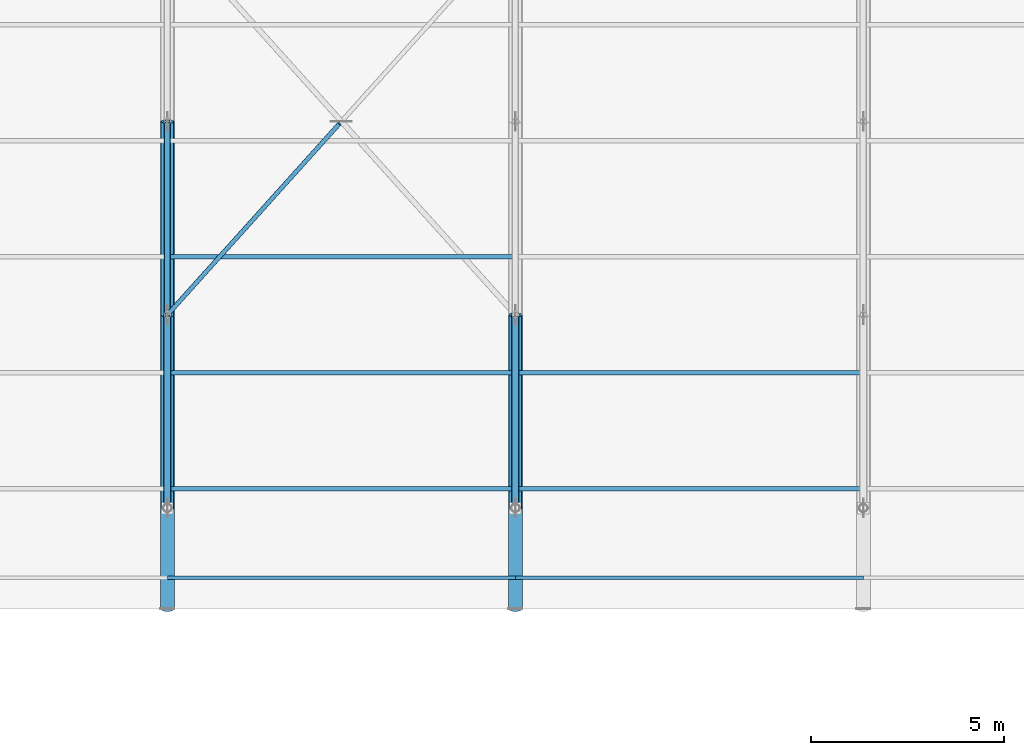
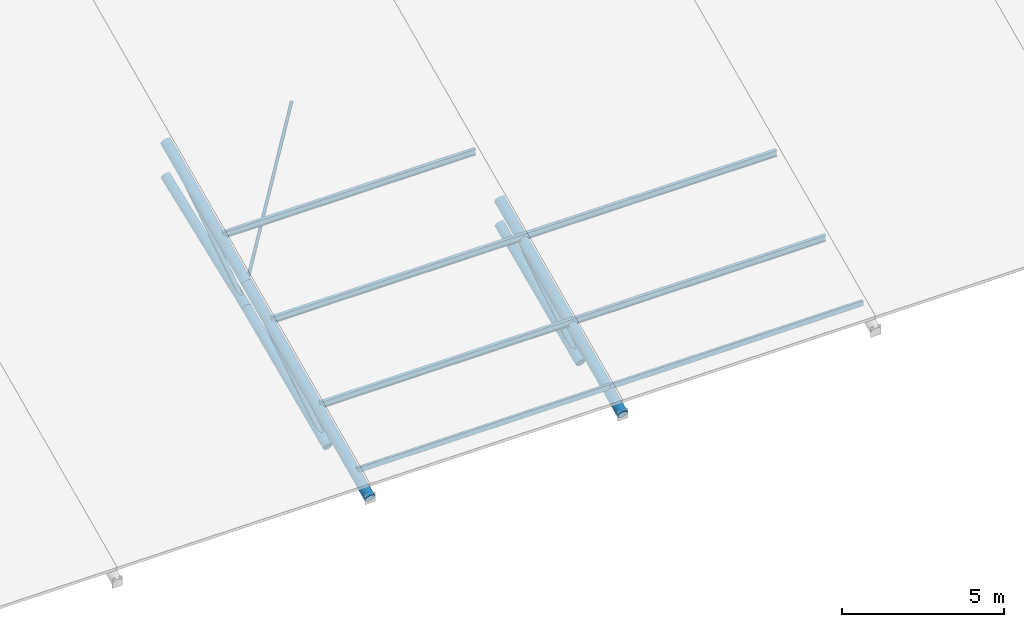
# One storey, part 13 of 107: 17 members.
"""IFC4 building model written with IfcOpenShell, lengths in metres."""

from ifc_helpers import new_model, si_unit, derived_unit, direction, frame, origin, origin_2d, place, context, subcontext, project, spatial, hollow_rectangle, hollow_circle, i_section, extrude, material, material_profile, profile_set, type_object, element, save


model = new_model("IFC4")

# Units and contexts
model_context = context("Model", 3, precision=1e-05, world=origin(), true_north=direction((0.0, 1.0)))
body_context = subcontext(model_context, "Body", "Model", "MODEL_VIEW")
ifc_project = project(units=[si_unit("LENGTHUNIT", "METRE"), si_unit("AREAUNIT", "SQUARE_METRE"), si_unit("VOLUMEUNIT", "CUBIC_METRE"), si_unit("PLANEANGLEUNIT", "RADIAN"), si_unit("MASSUNIT", "GRAM", prefix="KILO"), si_unit("THERMODYNAMICTEMPERATUREUNIT", "KELVIN"), si_unit("TIMEUNIT", "SECOND"), derived_unit("THERMALTRANSMITTANCEUNIT", [(si_unit("MASSUNIT", "GRAM", prefix="KILO"), 1), (si_unit("THERMODYNAMICTEMPERATUREUNIT", "KELVIN"), -1), (si_unit("TIMEUNIT", "SECOND"), -3)])], contexts=[model_context])

# Site, building, storey
site_placement = place(None, origin())
site = spatial("IfcSite", under=ifc_project, at=site_placement, CompositionType="ELEMENT")
building_placement = place(site_placement, origin())
building = spatial("IfcBuilding", under=site, at=building_placement, Name="Cambertide Market Hall", CompositionType="ELEMENT")
storey_placement = place(building_placement, frame((0.0, 0.0, 18.300048828125)))
storey = spatial("IfcBuildingStorey", under=building, at=storey_placement, Name="RF", CompositionType="ELEMENT", Elevation=18.300048828125)

# Members
ifc_material_1 = material(Name="Steel S355", Category="steel")
ifc_material_profile_1 = material_profile(ifc_material_1, hollow_circle(Radius=0.161865234375, WallThickness=0.010009765625, at=origin_2d()), Name="CHS 323.9x10")
ifc_profile_set_1 = profile_set([ifc_material_profile_1], Name="Steel S355")
member_type_1 = type_object("IfcMemberType", Name="Arched Truss Chord CHS 323.9x10", PredefinedType="CHORD", material=ifc_profile_set_1)
member_1_placement = place(storey_placement, frame((69.0, 52.0, -10.380126953125), z_axis=(0.0, 0.915087583381, 0.403255148438), x_axis=(-1.0, 0.0, 0.0)))
element("IfcMember", 1, at=member_1_placement, inside=storey, type_object=member_type_1, Name="Roof Truss 4 Arched Bottom Chord 1", PredefinedType="CHORD", context=body_context, shape_type="SweptSolid", body=[
    extrude(hollow_circle(Radius=0.161865234375, WallThickness=0.010009765625, at=origin_2d()), origin(), (0.0, 0.0, 1.0), 5.4638671875),
])
member_2_placement = place(storey_placement, frame((69.0, 57.0, -8.1767578125), z_axis=(0.0, 0.933191676524, 0.359379040661), x_axis=(-1.0, 0.0, 0.0)))
element("IfcMember", 2, at=member_2_placement, inside=storey, type_object=member_type_1, Name="Roof Truss 4 Arched Bottom Chord 2", PredefinedType="CHORD", context=body_context, shape_type="SweptSolid", body=[
    extrude(hollow_circle(Radius=0.161865234375, WallThickness=0.010009765625, at=origin_2d()), origin(), (0.0, 0.0, 1.0), 5.35791015625),
])
member_3_placement = place(storey_placement, frame((78.0, 52.0, -10.380126953125), z_axis=(0.0, 0.915087583381, 0.403255148438), x_axis=(-1.0, 0.0, 0.0)))
element("IfcMember", 3, at=member_3_placement, inside=storey, type_object=member_type_1, Name="Roof Truss 5 Arched Bottom Chord 1", PredefinedType="CHORD", context=body_context, shape_type="SweptSolid", body=[
    extrude(hollow_circle(Radius=0.161865234375, WallThickness=0.010009765625, at=origin_2d()), origin(), (0.0, 0.0, 1.0), 5.4638671875),
])
ifc_material_2 = material(Name="Steel S355", Category="steel")
ifc_material_profile_2 = material_profile(ifc_material_2, hollow_circle(Radius=0.177734375, WallThickness=0.012451171875, at=origin_2d()), Name="CHS 355.6x12.5")
ifc_profile_set_2 = profile_set([ifc_material_profile_2], Name="Steel S355")
member_type_2 = type_object("IfcMemberType", Name="Arched Truss Chord CHS 355.6x12.5", PredefinedType="CHORD", material=ifc_profile_set_2)
member_4_placement = place(storey_placement, frame((69.0, 57.0, -7.25), z_axis=(0.0, 0.908487084298, 0.417912930721), x_axis=(-1.0, 0.0, 0.0)))
element("IfcMember", 4, at=member_4_placement, inside=storey, type_object=member_type_2, Name="Roof Truss 4 Top Chord 2", PredefinedType="CHORD", context=body_context, shape_type="SweptSolid", body=[
    extrude(hollow_circle(Radius=0.177734375, WallThickness=0.012451171875, at=origin_2d()), origin(), (0.0, 0.0, 1.0), 5.503662109375),
])
ifc_material_3 = material(Name="Steel S355", Category="steel")
ifc_material_profile_3 = material_profile(ifc_material_3, hollow_circle(Radius=0.177734375, WallThickness=0.012451171875, at=origin_2d()), Name="CHS 355.6x12.5")
ifc_profile_set_3 = profile_set([ifc_material_profile_3], Name="Steel S355")
member_type_3 = type_object("IfcMemberType", Name="Exterior Arched Truss Chord CHS 355.6x12.5", PredefinedType="CHORD", material=ifc_profile_set_3)
for number, where, z_axis, x_axis, name in (
    (5, (69.0, 49.39990234375, -10.74609375), (0.0, 0.908488236671, 0.417910425606), (-1.0, 0.0, 0.0), "Roof Truss 4 Top Chord 1"),
    (6, (78.0, 49.39990234375, -10.74609375), (0.0, 0.908488236671, 0.417910425606), (-1.0, 0.0, 0.0), "Roof Truss 5 Top Chord 1"),
):
    element("IfcMember", number, at=place(storey_placement, frame(where, z_axis=z_axis, x_axis=x_axis)), inside=storey, type_object=member_type_3, Name=name, PredefinedType="CHORD", context=body_context, shape_type="SweptSolid", body=[
        extrude(hollow_circle(Radius=0.177734375, WallThickness=0.012451171875, at=origin_2d()), origin(), (0.0, 0.0, 1.0), 8.36572265625),
    ])
ifc_material_4 = material(Name="Steel S275", Category="steel")
ifc_material_profile_4 = material_profile(ifc_material_4, hollow_rectangle(XDim=0.10009765625, YDim=0.199951171875, WallThickness=0.00634765625, InnerFilletRadius=0.00634765625, OuterFilletRadius=0.0126953125, at=origin_2d()), Name="RHS 200x100x6.3")
ifc_profile_set_4 = profile_set([ifc_material_profile_4], Name="Steel S275")
member_type_4 = type_object("IfcMemberType", Name="Exterior Roof Purlin RHS 200x100x6.3", PredefinedType="PURLIN", material=ifc_profile_set_4)
for number, where, z_axis, x_axis, name in (
    (7, (69.0, 50.199951171875, -10.16796875), (1.0, 0.0, 0.0), (0.0, 1.0, 0.0), "Barrel Roof Purlin 4-01"),
    (8, (78.0, 50.199951171875, -10.16796875), (1.0, 0.0, 0.0), (0.0, 1.0, 0.0), "Barrel Roof Purlin 5-01"),
):
    element("IfcMember", number, at=place(storey_placement, frame(where, z_axis=z_axis, x_axis=x_axis)), inside=storey, type_object=member_type_4, Name=name, PredefinedType="PURLIN", context=body_context, shape_type="SweptSolid", body=[
        extrude(hollow_rectangle(XDim=0.10009765625, YDim=0.199951171875, WallThickness=0.00634765625, InnerFilletRadius=0.00634765625, OuterFilletRadius=0.0126953125, at=origin_2d()), origin(), (0.0, 0.0, 1.0), 9.0),
    ])
ifc_material_5 = material(Name="Steel S275", Category="steel")
ifc_material_profile_5 = material_profile(ifc_material_5, i_section(OverallWidth=0.1201171875, OverallDepth=0.239990234375, WebThickness=0.006103515625, FlangeThickness=0.009765625, FilletRadius=0.014892578125, at=origin_2d()), Name="IPE 240")
ifc_profile_set_5 = profile_set([ifc_material_profile_5], Name="Steel S275")
member_type_5 = type_object("IfcMemberType", Name="Roof Purlin IPE 240", PredefinedType="PURLIN", material=ifc_profile_set_5)
for number, where, z_axis, x_axis, name in (
    (9, (69.0, 52.5, -9.110107421875), (1.0, 0.0, 0.0), (0.0, 1.0, 0.0), "Barrel Roof Purlin 4-02"),
    (10, (69.0, 55.5, -7.72998046875), (1.0, 0.0, 0.0), (0.0, 1.0, 0.0), "Barrel Roof Purlin 4-03"),
    (11, (69.0, 58.5, -6.35009765625), (1.0, 0.0, 0.0), (0.0, 1.0, 0.0), "Barrel Roof Purlin 4-04"),
    (12, (78.0, 52.5, -9.110107421875), (1.0, 0.0, 0.0), (0.0, 1.0, 0.0), "Barrel Roof Purlin 5-02"),
    (13, (78.0, 55.5, -7.72998046875), (1.0, 0.0, 0.0), (0.0, 1.0, 0.0), "Barrel Roof Purlin 5-03"),
):
    element("IfcMember", number, at=place(storey_placement, frame(where, z_axis=z_axis, x_axis=x_axis)), inside=storey, type_object=member_type_5, Name=name, PredefinedType="PURLIN", context=body_context, shape_type="SweptSolid", body=[
        extrude(i_section(OverallWidth=0.1201171875, OverallDepth=0.239990234375, WebThickness=0.006103515625, FlangeThickness=0.009765625, FilletRadius=0.014892578125, at=origin_2d()), origin(), (0.0, 0.0, 1.0), 9.0),
    ])
ifc_material_6 = material(Name="Steel S275", Category="steel")
ifc_material_profile_6 = material_profile(ifc_material_6, hollow_circle(Radius=0.05712890625, WallThickness=0.0048828125, at=origin_2d()), Name="CHS 114.3x5")
ifc_profile_set_6 = profile_set([ifc_material_profile_6], Name="Steel S275")
member_type_6 = type_object("IfcMemberType", Name="Structural Brace CHS 114.3x5", PredefinedType="BRACE", material=ifc_profile_set_6)
member_5_placement = place(storey_placement, frame((73.45068359375, 61.945068359375, -4.975341796875), z_axis=(-0.632999690254, -0.703313698634, -0.323513884481), x_axis=(0.743285022771, -0.66897486868, 0.0)))
element("IfcMember", 14, at=member_5_placement, inside=storey, type_object=member_type_6, Name="Roof Wind X-Brace Split Segment 4-S2B", PredefinedType="BRACE", context=body_context, shape_type="SweptSolid", body=[
    extrude(hollow_circle(Radius=0.05712890625, WallThickness=0.0048828125, at=origin_2d()), origin(), (0.0, 0.0, 1.0), 7.031005859375),
])
ifc_material_7 = material(Name="Steel S355", Category="steel")
ifc_material_profile_7 = material_profile(ifc_material_7, hollow_circle(Radius=0.084228515625, WallThickness=0.00634765625, at=origin_2d()), Name="CHS 168.3x6.3")
ifc_profile_set_7 = profile_set([ifc_material_profile_7], Name="Steel S355")
member_type_7 = type_object("IfcMemberType", Name="Structural Brace CHS 168.3x6.3", PredefinedType="BRACE", material=ifc_profile_set_7)
member_6_placement = place(storey_placement, frame((69.0, 57.0, -8.1767578125), z_axis=(0.0, 0.840220073362, 0.542245542462), x_axis=(-1.0, 0.0, 0.0)))
element("IfcMember", 15, at=member_6_placement, inside=storey, type_object=member_type_7, Name="Roof Truss 4 Web Diagonal 2", PredefinedType="BRACE", context=body_context, shape_type="SweptSolid", body=[
    extrude(hollow_circle(Radius=0.084228515625, WallThickness=0.00634765625, at=origin_2d()), origin(), (0.0, 0.0, 1.0), 5.950927734375),
])
ifc_material_8 = material(Name="Steel S355", Category="steel")
ifc_material_profile_8 = material_profile(ifc_material_8, hollow_circle(Radius=0.096923828125, WallThickness=0.00634765625, at=origin_2d()), Name="CHS 193.7x6.3")
ifc_profile_set_8 = profile_set([ifc_material_profile_8], Name="Steel S355")
member_type_8 = type_object("IfcMemberType", Name="Structural Brace CHS 193.7x6.3", PredefinedType="BRACE", material=ifc_profile_set_8)
for number, where, z_axis, x_axis, name in (
    (16, (69.0, 52.0, -10.380126953125), (0.0, 0.847607454032, 0.530623787507), (-1.0, 0.0, 0.0), "Roof Truss 4 Web Diagonal 1"),
    (17, (78.0, 52.0, -10.380126953125), (0.0, 0.847607454032, 0.530623787507), (-1.0, 0.0, 0.0), "Roof Truss 5 Web Diagonal 1"),
):
    element("IfcMember", number, at=place(storey_placement, frame(where, z_axis=z_axis, x_axis=x_axis)), inside=storey, type_object=member_type_8, Name=name, PredefinedType="BRACE", context=body_context, shape_type="SweptSolid", body=[
        extrude(hollow_circle(Radius=0.096923828125, WallThickness=0.00634765625, at=origin_2d()), origin(), (0.0, 0.0, 1.0), 5.89892578125),
    ])

save(model, "model.ifc")
